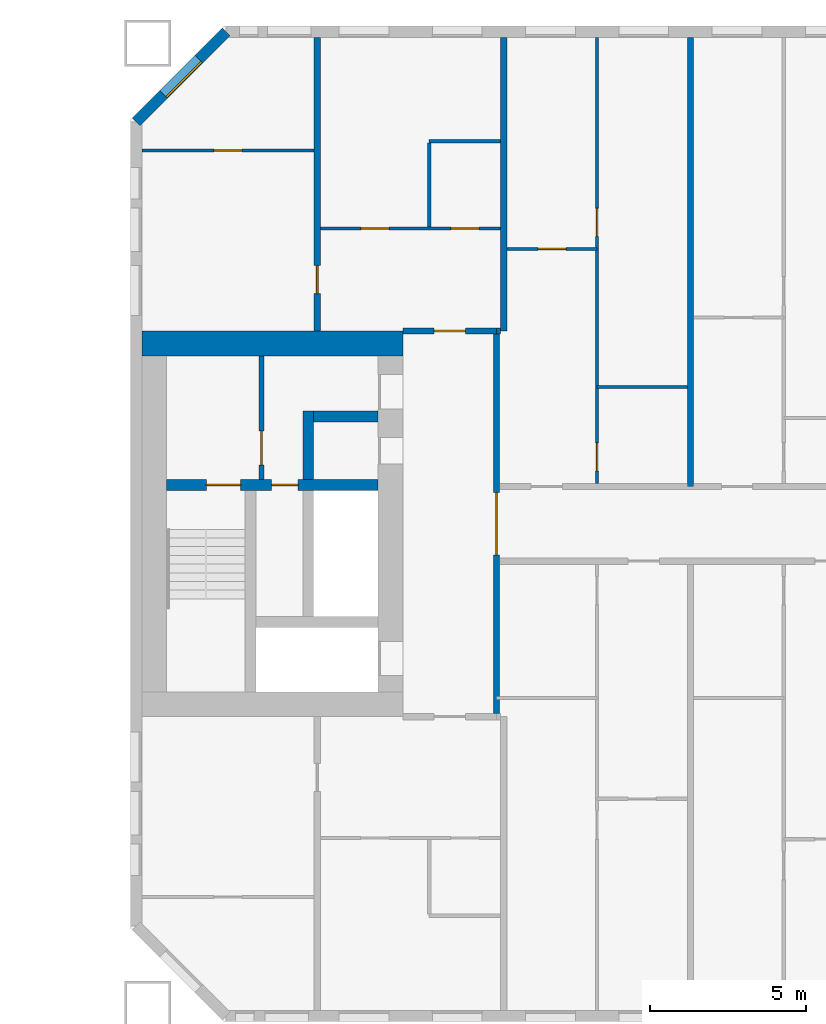
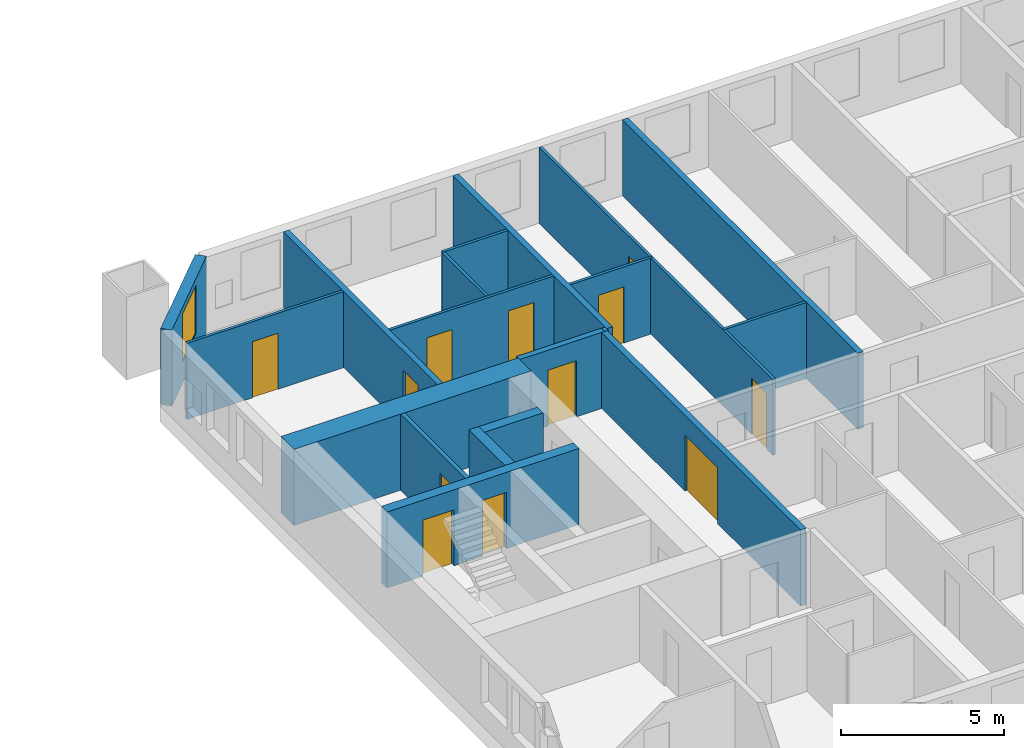
# One storey, part 10 of 17: 19 walls, 12 doors, 1 window, 13 openings.
"""IFC4 building model written with IfcOpenShell, lengths in metres."""

from ifc_helpers import new_model, si_unit, direction, frame, frame_2d, origin, place, context, subcontext, project, spatial, rectangle, extrude, material, layer, layer_set, type_object, element, fill, save


model = new_model("IFC4")

# Units and contexts
model_context = context("Model", 3, precision=1e-05, world=origin(), true_north=direction((0.0, 1.0)))
body_context = subcontext(model_context, "Body", "Model", "MODEL_VIEW")
ifc_project = project(units=[si_unit("LENGTHUNIT", "METRE"), si_unit("AREAUNIT", "SQUARE_METRE"), si_unit("VOLUMEUNIT", "CUBIC_METRE"), si_unit("PLANEANGLEUNIT", "RADIAN"), si_unit("MASSUNIT", "GRAM", prefix="KILO")], contexts=[model_context])

# Site, building, storey
site_placement = place(None, origin())
site = spatial("IfcSite", under=ifc_project, at=site_placement, CompositionType="ELEMENT")
building_placement = place(site_placement, origin())
building = spatial("IfcBuilding", under=site, at=building_placement, Name="Tuart Gate Housing", CompositionType="ELEMENT")
storey_placement = place(building_placement, frame((0.0, 0.0, 44.300048828125)))
storey = spatial("IfcBuildingStorey", under=building, at=storey_placement, Name="L11", CompositionType="ELEMENT", Elevation=44.300048828125)

# Wall, opening, window
ifc_material_1 = material(Name="Brick", Category="masonry")
ifc_layer_1 = layer(ifc_material_1, 0.360107421875)
ifc_layer_set_1 = layer_set([ifc_layer_1], Name="Brick pier and spandrel wall 360")
wall_type_1 = type_object("IfcWallType", Name="Brick pier and spandrel wall 360", PredefinedType="STANDARD", material=ifc_layer_set_1)
wall_1_placement = place(storey_placement, frame((134.07470703125, 85.820068359375, 0.0), z_axis=(0.0, 0.0, 1.0), x_axis=(-0.707106781187, -0.707106781187, 0.0)))
wall_1 = element("IfcWall", 1, at=wall_1_placement, inside=storey, type_object=wall_type_1, Name="External wall B-NW L11", PredefinedType="STANDARD", context=body_context, shape_type="SweptSolid", body=[
    extrude(rectangle(XDim=4.09375, YDim=0.360107421875, at=frame_2d((2.046875, 0.0))), origin(), (0.0, 0.0, 1.0), 2.849853515625),
])
opening_1_placement = place(wall_1_placement, frame((1.2470703125, 0.0, 0.800048828125)))
opening_1 = element("IfcOpeningElement", 2, at=opening_1_placement, cuts=wall_1, Name="Opening W1", PredefinedType="OPENING", context=body_context, shape_type="SweptSolid", body=[
    extrude(rectangle(XDim=1.60009765625, YDim=1.800048828125, at=frame_2d((0.800048828125, 0.89990234375))), frame((0.0, 0.18994140625, 0.0), z_axis=(0.0, -1.0, 0.0), x_axis=(1.0, 0.0, 0.0)), (0.0, 0.0, 1.0), 0.380126953125),
])
ifc_material_2 = material(Name="Aluminium frame with clear glass", Category="aluminium")
window_type = type_object("IfcWindowType", Name="Punched window 1600 x 1800", PartitioningType="SINGLE_PANEL", PredefinedType="WINDOW", material=ifc_material_2)
window_placement = place(opening_1_placement, origin())
window = element("IfcWindow", 3, at=window_placement, inside=storey, type_object=window_type, Name="Window W1", OverallHeight=1.800048828125, OverallWidth=1.60009765625, PartitioningType="SINGLE_PANEL", PredefinedType="WINDOW", context=body_context, shape_type="SweptSolid", body=[
    extrude(rectangle(XDim=1.60009765625, YDim=1.800048828125, at=frame_2d((0.800048828125, 0.89990234375))), frame((0.0, 0.150146484375, 0.0), z_axis=(0.0, -1.0, 0.0), x_axis=(1.0, 0.0, 0.0)), (0.0, 0.0, 1.0), 0.06005859375),
])
fill(opening_1, window)

# Wall, opening, door
ifc_material_3 = material(Name="Plasterboard partition")
ifc_layer_2 = layer(ifc_material_3, 0.14990234375)
ifc_layer_set_2 = layer_set([ifc_layer_2], Name="Core partition 150")
wall_type_2 = type_object("IfcWallType", Name="Core partition 150", PredefinedType="PARTITIONING", material=ifc_layer_set_2)
wall_2_placement = place(storey_placement, frame((135.2099609375, 71.425048828125, 0.0), z_axis=(0.0, 0.0, 1.0), x_axis=(0.0, 1.0, 0.0)))
wall_2 = element("IfcWall", 4, at=wall_2_placement, inside=storey, type_object=wall_type_2, Name="Core partition BG.6", PredefinedType="PARTITIONING", context=body_context, shape_type="SweptSolid", body=[
    extrude(rectangle(XDim=3.974853515625, YDim=0.14990234375, at=frame_2d((1.9873046875, 0.0))), origin(), (0.0, 0.0, 1.0), 2.849853515625),
])
opening_2_placement = place(wall_2_placement, frame((0.46240234375, 0.0, 0.0)))
opening_2 = element("IfcOpeningElement", 5, at=opening_2_placement, cuts=wall_2, Name="Opening D676", PredefinedType="OPENING", context=body_context, shape_type="SweptSolid", body=[
    extrude(rectangle(XDim=1.10009765625, YDim=2.10009765625, at=frame_2d((0.550048828125, 1.050048828125))), frame((0.0, 0.0849609375, 0.0), z_axis=(0.0, -1.0, 0.0), x_axis=(1.0, 0.0, 0.0)), (0.0, 0.0, 1.0), 0.169921875),
])
ifc_material_4 = material(Name="Steel fire door", Category="steel")
door_type_1 = type_object("IfcDoorType", Name="Lobby door 1100 x 2100", OperationType="SINGLE_SWING_LEFT", PredefinedType="DOOR", material=ifc_material_4)
door_1_placement = place(opening_2_placement, origin())
door_1 = element("IfcDoor", 6, at=door_1_placement, inside=storey, type_object=door_type_1, Name="Smoke lobby door BG.KD", OperationType="SINGLE_SWING_LEFT", OverallHeight=2.10009765625, OverallWidth=1.10009765625, PredefinedType="DOOR", context=body_context, shape_type="SweptSolid", body=[
    extrude(rectangle(XDim=1.10009765625, YDim=2.10009765625, at=frame_2d((0.550048828125, 1.050048828125))), frame((0.0, 0.02490234375, 0.0), z_axis=(0.0, -1.0, 0.0), x_axis=(1.0, 0.0, 0.0)), (0.0, 0.0, 1.0), 0.050048828125),
])
fill(opening_2, door_1)

# Wall, openings, doors
ifc_material_5 = material(Name="Concrete C60", Category="concrete")
ifc_layer_3 = layer(ifc_material_5, 0.35009765625)
ifc_layer_set_3 = layer_set([ifc_layer_3], Name="Core wall 350 C60")
wall_type_3 = type_object("IfcWallType", Name="Core wall 350 C60", PredefinedType="SHEAR", material=ifc_layer_set_3)
wall_3_placement = place(storey_placement, frame((138.9599609375, 71.25, 0.0), z_axis=(0.0, 0.0, 1.0), x_axis=(-1.0, 0.0, 0.0)))
wall_3 = element("IfcWall", 7, at=wall_3_placement, inside=storey, type_object=wall_type_3, Name="Core wall BG.2", PredefinedType="SHEAR", context=body_context, shape_type="SweptSolid", body=[
    extrude(rectangle(XDim=6.800048828125, YDim=0.35009765625, at=frame_2d((3.39990234375, 0.0))), origin(), (0.0, 0.0, 1.0), 2.849853515625),
])
opening_3_placement = place(wall_3_placement, frame((4.425048828125, 0.0, 0.0)))
opening_3 = element("IfcOpeningElement", 8, at=opening_3_placement, cuts=wall_3, Name="Opening D678", PredefinedType="OPENING", context=body_context, shape_type="SweptSolid", body=[
    extrude(rectangle(XDim=1.10009765625, YDim=2.10009765625, at=frame_2d((0.550048828125, 1.050048828125))), frame((0.0, 0.18505859375, 0.0), z_axis=(0.0, -1.0, 0.0), x_axis=(1.0, 0.0, 0.0)), (0.0, 0.0, 1.0), 0.3701171875),
])
opening_4_placement = place(wall_3_placement, frame((2.574951171875, 0.0, 0.0)))
opening_4 = element("IfcOpeningElement", 9, at=opening_4_placement, cuts=wall_3, Name="Opening D677", PredefinedType="OPENING", context=body_context, shape_type="SweptSolid", body=[
    extrude(rectangle(XDim=0.85009765625, YDim=2.10009765625, at=frame_2d((0.425048828125, 1.050048828125))), frame((0.0, 0.18505859375, 0.0), z_axis=(0.0, -1.0, 0.0), x_axis=(1.0, 0.0, 0.0)), (0.0, 0.0, 1.0), 0.3701171875),
])
ifc_material_6 = material(Name="Steel fire door", Category="steel")
door_type_2 = type_object("IfcDoorType", Name="Riser door 850 x 2100", OperationType="SINGLE_SWING_LEFT", PredefinedType="DOOR", material=ifc_material_6)
door_2_placement = place(opening_4_placement, origin())
door_2 = element("IfcDoor", 10, at=door_2_placement, inside=storey, type_object=door_type_2, Name="Service room door BG.W1", OperationType="SINGLE_SWING_LEFT", OverallHeight=2.10009765625, OverallWidth=0.85009765625, PredefinedType="DOOR", context=body_context, shape_type="SweptSolid", body=[
    extrude(rectangle(XDim=0.85009765625, YDim=2.10009765625, at=frame_2d((0.425048828125, 1.050048828125))), frame((0.0, 0.02490234375, 0.0), z_axis=(0.0, -1.0, 0.0), x_axis=(1.0, 0.0, 0.0)), (0.0, 0.0, 1.0), 0.050048828125),
])
fill(opening_4, door_2)
ifc_material_7 = material(Name="Steel fire door", Category="steel")
door_type_3 = type_object("IfcDoorType", Name="Stair door 1100 x 2100", OperationType="SINGLE_SWING_LEFT", PredefinedType="DOOR", material=ifc_material_7)
door_3_placement = place(opening_3_placement, origin())
door_3 = element("IfcDoor", 11, at=door_3_placement, inside=storey, type_object=door_type_3, Name="Stair door BG.SD", OperationType="SINGLE_SWING_LEFT", OverallHeight=2.10009765625, OverallWidth=1.10009765625, PredefinedType="DOOR", context=body_context, shape_type="SweptSolid", body=[
    extrude(rectangle(XDim=1.10009765625, YDim=2.10009765625, at=frame_2d((0.550048828125, 1.050048828125))), frame((0.0, 0.02490234375, 0.0), z_axis=(0.0, -1.0, 0.0), x_axis=(1.0, 0.0, 0.0)), (0.0, 0.0, 1.0), 0.050048828125),
])
fill(opening_3, door_3)

# Walls
wall_4_placement = place(storey_placement, frame((138.9599609375, 73.449951171875, 0.0), z_axis=(0.0, 0.0, 1.0), x_axis=(-1.0, 0.0, 0.0)))
element("IfcWall", 12, at=wall_4_placement, inside=storey, type_object=wall_type_3, Name="Core wall BG.3", PredefinedType="SHEAR", context=body_context, shape_type="SweptSolid", body=[
    extrude(rectangle(XDim=2.074951171875, YDim=0.35009765625, at=frame_2d((1.03759765625, 0.0))), origin(), (0.0, 0.0, 1.0), 2.849853515625),
])
wall_5_placement = place(storey_placement, frame((136.7099609375, 71.425048828125, 0.0), z_axis=(0.0, 0.0, 1.0), x_axis=(0.0, 1.0, 0.0)))
element("IfcWall", 13, at=wall_5_placement, inside=storey, type_object=wall_type_3, Name="Core wall BG.5", PredefinedType="SHEAR", context=body_context, shape_type="SweptSolid", body=[
    extrude(rectangle(XDim=2.199951171875, YDim=0.35009765625, at=frame_2d((1.10009765625, 0.0))), origin(), (0.0, 0.0, 1.0), 2.849853515625),
])
ifc_material_8 = material(Name="Concrete C60", Category="concrete")
ifc_layer_4 = layer(ifc_material_8, 0.800048828125)
ifc_layer_set_4 = layer_set([ifc_layer_4], Name="Core wall 800 C60")
wall_type_4 = type_object("IfcWallType", Name="Core wall 800 C60", PredefinedType="SHEAR", material=ifc_layer_set_4)
wall_6_placement = place(storey_placement, frame((139.760009765625, 75.800048828125, 0.0), z_axis=(0.0, 0.0, 1.0), x_axis=(-1.0, 0.0, 0.0)))
element("IfcWall", 14, at=wall_6_placement, inside=storey, type_object=wall_type_4, Name="Core wall BG north", PredefinedType="SHEAR", context=body_context, shape_type="SweptSolid", body=[
    extrude(rectangle(XDim=8.39990234375, YDim=0.800048828125, at=frame_2d((4.199951171875, 0.0))), origin(), (0.0, 0.0, 1.0), 2.849853515625),
])

# Wall, opening, door
ifc_material_9 = material(Name="Concrete masonry 15 MPa", Category="masonry")
ifc_layer_5 = layer(ifc_material_9, 0.199951171875)
ifc_layer_set_5 = layer_set([ifc_layer_5], Name="Enclosure wall masonry 200")
wall_type_5 = type_object("IfcWallType", Name="Enclosure wall masonry 200", PredefinedType="PARTITIONING", material=ifc_layer_set_5)
wall_7_placement = place(storey_placement, frame((139.760009765625, 76.199951171875, 0.0), z_axis=(0.0, 0.0, 1.0), x_axis=(1.0, 0.0, 0.0)))
wall_7 = element("IfcWall", 15, at=wall_7_placement, inside=storey, type_object=wall_type_5, Name="Enclosure wall masonry 200", PredefinedType="PARTITIONING", context=body_context, shape_type="SweptSolid", body=[
    extrude(rectangle(XDim=3.0, YDim=0.199951171875, at=frame_2d((1.5, 0.0))), origin(), (0.0, 0.0, 1.0), 2.849853515625),
])
opening_5_placement = place(wall_7_placement, frame((1.0, 0.0, 0.0)))
opening_5 = element("IfcOpeningElement", 16, at=opening_5_placement, cuts=wall_7, Name="Opening D674", PredefinedType="OPENING", context=body_context, shape_type="SweptSolid", body=[
    extrude(rectangle(XDim=1.0, YDim=2.10009765625, at=frame_2d((0.5, 1.050048828125))), frame((0.0, 0.10986328125, 0.0), z_axis=(0.0, -1.0, 0.0), x_axis=(1.0, 0.0, 0.0)), (0.0, 0.0, 1.0), 0.219970703125),
])
ifc_material_10 = material(Name="Timber door leaf in steel frame", Category="steel")
door_type_4 = type_object("IfcDoorType", Name="Flat entrance door 1000 RH", OperationType="SINGLE_SWING_RIGHT", PredefinedType="DOOR", material=ifc_material_10)
door_4_placement = place(opening_5_placement, origin())
door_4 = element("IfcDoor", 17, at=door_4_placement, inside=storey, type_object=door_type_4, Name="Flat entrance door", OperationType="SINGLE_SWING_RIGHT", OverallHeight=2.10009765625, OverallWidth=1.0, PredefinedType="DOOR", context=body_context, shape_type="SweptSolid", body=[
    extrude(rectangle(XDim=1.0, YDim=2.10009765625, at=frame_2d((0.5, 1.050048828125))), frame((0.0, 0.02490234375, 0.0), z_axis=(0.0, -1.0, 0.0), x_axis=(1.0, 0.0, 0.0)), (0.0, 0.0, 1.0), 0.050048828125),
])
fill(opening_5, door_4)

ifc_material_11 = material(Name="Plasterboard partition")
ifc_layer_6 = layer(ifc_material_11, 0.199951171875)
ifc_layer_set_6 = layer_set([ifc_layer_6], Name="Lobby wall 200")
wall_type_6 = type_object("IfcWallType", Name="Lobby wall 200", PredefinedType="PARTITIONING", material=ifc_layer_set_6)
wall_8_placement = place(storey_placement, frame((142.760009765625, 63.89990234375, 0.0), z_axis=(0.0, 0.0, 1.0), x_axis=(0.0, 1.0, 0.0)))
wall_8 = element("IfcWall", 18, at=wall_8_placement, inside=storey, type_object=wall_type_6, Name="Lift lobby wall BG", PredefinedType="PARTITIONING", context=body_context, shape_type="SweptSolid", body=[
    extrude(rectangle(XDim=12.2001953125, YDim=0.199951171875, at=frame_2d((6.10009765625, 0.0))), origin(), (0.0, 0.0, 1.0), 2.849853515625),
])
opening_6_placement = place(wall_8_placement, frame((5.10009765625, 0.0, 0.0)))
opening_6 = element("IfcOpeningElement", 19, at=opening_6_placement, cuts=wall_8, Name="Opening D684", PredefinedType="OPENING", context=body_context, shape_type="SweptSolid", body=[
    extrude(rectangle(XDim=2.0, YDim=2.10009765625, at=frame_2d((1.0, 1.050048828125))), frame((0.0, 0.10986328125, 0.0), z_axis=(0.0, -1.0, 0.0), x_axis=(1.0, 0.0, 0.0)), (0.0, 0.0, 1.0), 0.219970703125),
])
ifc_material_12 = material(Name="Steel fire door", Category="steel")
door_type_5 = type_object("IfcDoorType", Name="Smoke door 2000 x 2100", OperationType="DOUBLE_DOOR_SINGLE_SWING", PredefinedType="DOOR", material=ifc_material_12)
door_5_placement = place(opening_6_placement, origin())
door_5 = element("IfcDoor", 20, at=door_5_placement, inside=storey, type_object=door_type_5, Name="Lift lobby smoke door BG", OperationType="DOUBLE_DOOR_SINGLE_SWING", OverallHeight=2.10009765625, OverallWidth=2.0, PredefinedType="DOOR", context=body_context, shape_type="SweptSolid", body=[
    extrude(rectangle(XDim=2.0, YDim=2.10009765625, at=frame_2d((1.0, 1.050048828125))), frame((0.0, 0.02490234375, 0.0), z_axis=(0.0, -1.0, 0.0), x_axis=(1.0, 0.0, 0.0)), (0.0, 0.0, 1.0), 0.050048828125),
])
fill(opening_6, door_5)

# Wall
ifc_material_13 = material(Name="Gypsum board on steel studs", Category="steel")
ifc_layer_7 = layer(ifc_material_13, 0.10009765625)
ifc_layer_set_7 = layer_set([ifc_layer_7], Name="Partition 100")
wall_type_7 = type_object("IfcWallType", Name="Partition 100", PredefinedType="PARTITIONING", material=ifc_layer_set_7)
wall_9_placement = place(storey_placement, frame((146.0, 74.39990234375, 0.0), z_axis=(0.0, 0.0, 1.0), x_axis=(1.0, 0.0, 0.0)))
element("IfcWall", 21, at=wall_9_placement, inside=storey, type_object=wall_type_7, Name="Partition 100", PredefinedType="PARTITIONING", context=body_context, shape_type="SweptSolid", body=[
    extrude(rectangle(XDim=2.89990234375, YDim=0.10009765625, at=frame_2d((1.449951171875, 0.0))), origin(), (0.0, 0.0, 1.0), 2.849853515625),
])

# Wall, opening, door
wall_10_placement = place(storey_placement, frame((143.10009765625, 78.840087890625, 0.0), z_axis=(0.0, 0.0, 1.0), x_axis=(1.0, 0.0, 0.0)))
wall_10 = element("IfcWall", 22, at=wall_10_placement, inside=storey, type_object=wall_type_7, Name="Partition 100", PredefinedType="PARTITIONING", context=body_context, shape_type="SweptSolid", body=[
    extrude(rectangle(XDim=2.89990234375, YDim=0.10009765625, at=frame_2d((1.449951171875, 0.0))), origin(), (0.0, 0.0, 1.0), 2.849853515625),
])
opening_7_placement = place(wall_10_placement, frame((1.0, 0.0, 0.0)))
opening_7 = element("IfcOpeningElement", 23, at=opening_7_placement, cuts=wall_10, Name="Opening D666", PredefinedType="OPENING", context=body_context, shape_type="SweptSolid", body=[
    extrude(rectangle(XDim=0.89990234375, YDim=2.10009765625, at=frame_2d((0.449951171875, 1.050048828125))), frame((0.0, 0.06005859375, 0.0), z_axis=(0.0, -1.0, 0.0), x_axis=(1.0, 0.0, 0.0)), (0.0, 0.0, 1.0), 0.1201171875),
])
ifc_material_14 = material(Name="Timber door leaf in steel frame", Category="steel")
door_type_6 = type_object("IfcDoorType", Name="Internal door 900", OperationType="SINGLE_SWING_LEFT", PredefinedType="DOOR", material=ifc_material_14)
door_6_placement = place(opening_7_placement, frame((0.89990234375, 0.0, 0.0), z_axis=(0.0, 0.0, 1.0), x_axis=(-1.0, 0.0, 0.0)))
door_6 = element("IfcDoor", 24, at=door_6_placement, inside=storey, type_object=door_type_6, Name="Internal door", OperationType="SINGLE_SWING_LEFT", OverallHeight=2.10009765625, OverallWidth=0.89990234375, PredefinedType="DOOR", context=body_context, shape_type="SweptSolid", body=[
    extrude(rectangle(XDim=0.89990234375, YDim=2.10009765625, at=frame_2d((0.449951171875, 1.050048828125))), frame((0.0, 0.025146484375, 0.0), z_axis=(0.0, -1.0, 0.0), x_axis=(1.0, 0.0, 0.0)), (0.0, 0.0, 1.0), 0.050048828125),
])
fill(opening_7, door_6)

# Wall, openings, doors
wall_11_placement = place(storey_placement, frame((137.10009765625, 79.5, 0.0), z_axis=(0.0, 0.0, 1.0), x_axis=(1.0, 0.0, 0.0)))
wall_11 = element("IfcWall", 25, at=wall_11_placement, inside=storey, type_object=wall_type_7, Name="Partition 100", PredefinedType="PARTITIONING", context=body_context, shape_type="SweptSolid", body=[
    extrude(rectangle(XDim=5.7998046875, YDim=0.10009765625, at=frame_2d((2.89990234375, 0.0))), origin(), (0.0, 0.0, 1.0), 2.849853515625),
])
opening_8_placement = place(wall_11_placement, frame((1.300048828125, 0.0, 0.0)))
opening_8 = element("IfcOpeningElement", 26, at=opening_8_placement, cuts=wall_11, Name="Opening D665", PredefinedType="OPENING", context=body_context, shape_type="SweptSolid", body=[
    extrude(rectangle(XDim=0.89990234375, YDim=2.10009765625, at=frame_2d((0.449951171875, 1.050048828125))), frame((0.0, 0.06005859375, 0.0), z_axis=(0.0, -1.0, 0.0), x_axis=(1.0, 0.0, 0.0)), (0.0, 0.0, 1.0), 0.1201171875),
])
opening_9_placement = place(wall_11_placement, frame((4.199951171875, 0.0, 0.0)))
opening_9 = element("IfcOpeningElement", 27, at=opening_9_placement, cuts=wall_11, Name="Opening D664", PredefinedType="OPENING", context=body_context, shape_type="SweptSolid", body=[
    extrude(rectangle(XDim=0.89990234375, YDim=2.10009765625, at=frame_2d((0.449951171875, 1.050048828125))), frame((0.0, 0.06005859375, 0.0), z_axis=(0.0, -1.0, 0.0), x_axis=(1.0, 0.0, 0.0)), (0.0, 0.0, 1.0), 0.1201171875),
])
ifc_material_15 = material(Name="Timber door leaf in steel frame", Category="steel")
door_type_7 = type_object("IfcDoorType", Name="Bathroom door 900", OperationType="SINGLE_SWING_LEFT", PredefinedType="DOOR", material=ifc_material_15)
door_7_placement = place(opening_9_placement, origin())
door_7 = element("IfcDoor", 28, at=door_7_placement, inside=storey, type_object=door_type_7, Name="Bathroom door", OperationType="SINGLE_SWING_LEFT", OverallHeight=2.10009765625, OverallWidth=0.89990234375, PredefinedType="DOOR", context=body_context, shape_type="SweptSolid", body=[
    extrude(rectangle(XDim=0.89990234375, YDim=2.10009765625, at=frame_2d((0.449951171875, 1.050048828125))), frame((0.0, 0.02490234375, 0.0), z_axis=(0.0, -1.0, 0.0), x_axis=(1.0, 0.0, 0.0)), (0.0, 0.0, 1.0), 0.050048828125),
])
fill(opening_9, door_7)
ifc_material_16 = material(Name="Timber door leaf in steel frame", Category="steel")
door_type_8 = type_object("IfcDoorType", Name="Internal door 900 RH", OperationType="SINGLE_SWING_RIGHT", PredefinedType="DOOR", material=ifc_material_16)
door_8_placement = place(opening_8_placement, origin())
door_8 = element("IfcDoor", 29, at=door_8_placement, inside=storey, type_object=door_type_8, Name="Internal door", OperationType="SINGLE_SWING_RIGHT", OverallHeight=2.10009765625, OverallWidth=0.89990234375, PredefinedType="DOOR", context=body_context, shape_type="SweptSolid", body=[
    extrude(rectangle(XDim=0.89990234375, YDim=2.10009765625, at=frame_2d((0.449951171875, 1.050048828125))), frame((0.0, 0.02490234375, 0.0), z_axis=(0.0, -1.0, 0.0), x_axis=(1.0, 0.0, 0.0)), (0.0, 0.0, 1.0), 0.050048828125),
])
fill(opening_8, door_8)

# Wall, opening, door
wall_12_placement = place(storey_placement, frame((131.360107421875, 82.0, 0.0), z_axis=(0.0, 0.0, 1.0), x_axis=(1.0, 0.0, 0.0)))
wall_12 = element("IfcWall", 30, at=wall_12_placement, inside=storey, type_object=wall_type_7, Name="Partition 100", PredefinedType="PARTITIONING", context=body_context, shape_type="SweptSolid", body=[
    extrude(rectangle(XDim=5.539794921875, YDim=0.10009765625, at=frame_2d((2.77001953125, 0.0))), origin(), (0.0, 0.0, 1.0), 2.849853515625),
])
opening_10_placement = place(wall_12_placement, frame((2.320068359375, 0.0, 0.0)))
opening_10 = element("IfcOpeningElement", 31, at=opening_10_placement, cuts=wall_12, Name="Opening D662", PredefinedType="OPENING", context=body_context, shape_type="SweptSolid", body=[
    extrude(rectangle(XDim=0.89990234375, YDim=2.10009765625, at=frame_2d((0.449951171875, 1.050048828125))), frame((0.0, 0.06005859375, 0.0), z_axis=(0.0, -1.0, 0.0), x_axis=(1.0, 0.0, 0.0)), (0.0, 0.0, 1.0), 0.1201171875),
])
door_9_placement = place(opening_10_placement, origin())
door_9 = element("IfcDoor", 32, at=door_9_placement, inside=storey, type_object=door_type_6, Name="Internal door", OperationType="SINGLE_SWING_LEFT", OverallHeight=2.10009765625, OverallWidth=0.89990234375, PredefinedType="DOOR", context=body_context, shape_type="SweptSolid", body=[
    extrude(rectangle(XDim=0.89990234375, YDim=2.10009765625, at=frame_2d((0.449951171875, 1.050048828125))), frame((0.0, 0.02490234375, 0.0), z_axis=(0.0, -1.0, 0.0), x_axis=(1.0, 0.0, 0.0)), (0.0, 0.0, 1.0), 0.050048828125),
])
fill(opening_10, door_9)

# Walls
wall_13_placement = place(storey_placement, frame((140.60009765625, 82.300048828125, 0.0), z_axis=(0.0, 0.0, 1.0), x_axis=(1.0, 0.0, 0.0)))
element("IfcWall", 33, at=wall_13_placement, inside=storey, type_object=wall_type_7, Name="Partition 100", PredefinedType="PARTITIONING", context=body_context, shape_type="SweptSolid", body=[
    extrude(rectangle(XDim=2.2998046875, YDim=0.10009765625, at=frame_2d((1.14990234375, 0.0))), origin(), (0.0, 0.0, 1.0), 2.849853515625),
])
wall_14_placement = place(storey_placement, frame((140.60009765625, 79.550048828125, 0.0), z_axis=(0.0, 0.0, 1.0), x_axis=(0.0, 1.0, 0.0)))
element("IfcWall", 34, at=wall_14_placement, inside=storey, type_object=wall_type_7, Name="Partition 100", PredefinedType="PARTITIONING", context=body_context, shape_type="SweptSolid", body=[
    extrude(rectangle(XDim=2.699951171875, YDim=0.10009765625, at=frame_2d((1.35009765625, 0.0))), origin(), (0.0, 0.0, 1.0), 2.849853515625),
])

# Wall, openings, doors
wall_15_placement = place(storey_placement, frame((146.0, 71.300048828125, 0.0), z_axis=(0.0, 0.0, 1.0), x_axis=(0.0, 1.0, 0.0)))
wall_15 = element("IfcWall", 35, at=wall_15_placement, inside=storey, type_object=wall_type_7, Name="Partition 100", PredefinedType="PARTITIONING", context=body_context, shape_type="SweptSolid", body=[
    extrude(rectangle(XDim=14.33984375, YDim=0.10009765625, at=frame_2d((7.169921875, 0.0))), origin(), (0.0, 0.0, 1.0), 2.849853515625),
])
opening_11_placement = place(wall_15_placement, frame((7.93994140625, 0.0, 0.0)))
opening_11 = element("IfcOpeningElement", 36, at=opening_11_placement, cuts=wall_15, Name="Opening D670", PredefinedType="OPENING", context=body_context, shape_type="SweptSolid", body=[
    extrude(rectangle(XDim=0.89990234375, YDim=2.10009765625, at=frame_2d((0.449951171875, 1.050048828125))), frame((0.0, 0.06005859375, 0.0), z_axis=(0.0, -1.0, 0.0), x_axis=(1.0, 0.0, 0.0)), (0.0, 0.0, 1.0), 0.1201171875),
])
opening_12_placement = place(wall_15_placement, frame((0.39990234375, 0.0, 0.0)))
opening_12 = element("IfcOpeningElement", 37, at=opening_12_placement, cuts=wall_15, Name="Opening D669", PredefinedType="OPENING", context=body_context, shape_type="SweptSolid", body=[
    extrude(rectangle(XDim=0.89990234375, YDim=2.10009765625, at=frame_2d((0.449951171875, 1.050048828125))), frame((0.0, 0.06005859375, 0.0), z_axis=(0.0, -1.0, 0.0), x_axis=(1.0, 0.0, 0.0)), (0.0, 0.0, 1.0), 0.1201171875),
])
ifc_material_17 = material(Name="Timber door leaf in steel frame", Category="steel")
door_type_9 = type_object("IfcDoorType", Name="Bathroom door 900 RH", OperationType="SINGLE_SWING_RIGHT", PredefinedType="DOOR", material=ifc_material_17)
door_10_placement = place(opening_12_placement, frame((0.89990234375, 0.0, 0.0), z_axis=(0.0, 0.0, 1.0), x_axis=(-1.0, 0.0, 0.0)))
door_10 = element("IfcDoor", 38, at=door_10_placement, inside=storey, type_object=door_type_9, Name="Bathroom door", OperationType="SINGLE_SWING_RIGHT", OverallHeight=2.10009765625, OverallWidth=0.89990234375, PredefinedType="DOOR", context=body_context, shape_type="SweptSolid", body=[
    extrude(rectangle(XDim=0.89990234375, YDim=2.10009765625, at=frame_2d((0.449951171875, 1.050048828125))), frame((0.0, 0.025146484375, 0.0), z_axis=(0.0, -1.0, 0.0), x_axis=(1.0, 0.0, 0.0)), (0.0, 0.0, 1.0), 0.050048828125),
])
fill(opening_12, door_10)
door_11_placement = place(opening_11_placement, frame((0.89990234375, 0.0, 0.0), z_axis=(0.0, 0.0, 1.0), x_axis=(-1.0, 0.0, 0.0)))
door_11 = element("IfcDoor", 39, at=door_11_placement, inside=storey, type_object=door_type_8, Name="Internal door", OperationType="SINGLE_SWING_RIGHT", OverallHeight=2.10009765625, OverallWidth=0.89990234375, PredefinedType="DOOR", context=body_context, shape_type="SweptSolid", body=[
    extrude(rectangle(XDim=0.89990234375, YDim=2.10009765625, at=frame_2d((0.449951171875, 1.050048828125))), frame((0.0, 0.025146484375, 0.0), z_axis=(0.0, -1.0, 0.0), x_axis=(1.0, 0.0, 0.0)), (0.0, 0.0, 1.0), 0.050048828125),
])
fill(opening_11, door_11)

# Wall, opening, door
ifc_material_18 = material(Name="Concrete C40", Category="concrete")
ifc_layer_8 = layer(ifc_material_18, 0.199951171875)
ifc_layer_set_8 = layer_set([ifc_layer_8], Name="Party wall concrete C40 200")
wall_type_8 = type_object("IfcWallType", Name="Party wall concrete C40 200", PredefinedType="SOLIDWALL", material=ifc_layer_set_8)
wall_16_placement = place(storey_placement, frame((137.0, 76.199951171875, 0.0), z_axis=(0.0, 0.0, 1.0), x_axis=(0.0, 1.0, 0.0)))
wall_16 = element("IfcWall", 40, at=wall_16_placement, inside=storey, type_object=wall_type_8, Name="Party wall concrete C40 200", PredefinedType="SOLIDWALL", context=body_context, shape_type="SweptSolid", body=[
    extrude(rectangle(XDim=9.43994140625, YDim=0.199951171875, at=frame_2d((4.719970703125, 0.0))), origin(), (0.0, 0.0, 1.0), 2.849853515625),
])
opening_13_placement = place(wall_16_placement, frame((1.199951171875, 0.0, 0.0)))
opening_13 = element("IfcOpeningElement", 41, at=opening_13_placement, cuts=wall_16, Name="Opening D663", PredefinedType="OPENING", context=body_context, shape_type="SweptSolid", body=[
    extrude(rectangle(XDim=0.89990234375, YDim=2.10009765625, at=frame_2d((0.449951171875, 1.050048828125))), frame((0.0, 0.10986328125, 0.0), z_axis=(0.0, -1.0, 0.0), x_axis=(1.0, 0.0, 0.0)), (0.0, 0.0, 1.0), 0.219970703125),
])
door_12_placement = place(opening_13_placement, frame((0.89990234375, 0.0, 0.0), z_axis=(0.0, 0.0, 1.0), x_axis=(-1.0, 0.0, 0.0)))
door_12 = element("IfcDoor", 42, at=door_12_placement, inside=storey, type_object=door_type_8, Name="Internal door", OperationType="SINGLE_SWING_RIGHT", OverallHeight=2.10009765625, OverallWidth=0.89990234375, PredefinedType="DOOR", context=body_context, shape_type="SweptSolid", body=[
    extrude(rectangle(XDim=0.89990234375, YDim=2.10009765625, at=frame_2d((0.449951171875, 1.050048828125))), frame((0.0, 0.025146484375, 0.0), z_axis=(0.0, -1.0, 0.0), x_axis=(1.0, 0.0, 0.0)), (0.0, 0.0, 1.0), 0.050048828125),
])
fill(opening_13, door_12)

# Walls
wall_17_placement = place(storey_placement, frame((143.0, 76.199951171875, 0.0), z_axis=(0.0, 0.0, 1.0), x_axis=(0.0, 1.0, 0.0)))
element("IfcWall", 43, at=wall_17_placement, inside=storey, type_object=wall_type_8, Name="Party wall concrete C40 200", PredefinedType="SOLIDWALL", context=body_context, shape_type="SweptSolid", body=[
    extrude(rectangle(XDim=9.43994140625, YDim=0.199951171875, at=frame_2d((4.719970703125, 0.0))), origin(), (0.0, 0.0, 1.0), 2.849853515625),
])
wall_18_placement = place(storey_placement, frame((149.0, 71.199951171875, 0.0), z_axis=(0.0, 0.0, 1.0), x_axis=(0.0, 1.0, 0.0)))
element("IfcWall", 44, at=wall_18_placement, inside=storey, type_object=wall_type_8, Name="Party wall concrete C40 200", PredefinedType="SOLIDWALL", context=body_context, shape_type="SweptSolid", body=[
    extrude(rectangle(XDim=14.43994140625, YDim=0.199951171875, at=frame_2d((7.219970703125, 0.0))), origin(), (0.0, 0.0, 1.0), 2.849853515625),
])
ifc_material_19 = material(Name="Concrete masonry 15 MPa", Category="masonry")
ifc_layer_9 = layer(ifc_material_19, 0.199951171875)
ifc_layer_set_9 = layer_set([ifc_layer_9], Name="Party wall masonry 200")
wall_type_9 = type_object("IfcWallType", Name="Party wall masonry 200", PredefinedType="PARTITIONING", material=ifc_layer_set_9)
wall_19_placement = place(storey_placement, frame((142.760009765625, 76.199951171875, 0.0), z_axis=(0.0, 0.0, 1.0), x_axis=(1.0, 0.0, 0.0)))
element("IfcWall", 45, at=wall_19_placement, inside=storey, type_object=wall_type_9, Name="Party wall masonry 200", PredefinedType="PARTITIONING", context=body_context, shape_type="SweptSolid", body=[
    extrude(rectangle(XDim=0.139892578125, YDim=0.199951171875, at=frame_2d((0.06982421875, 0.0))), origin(), (0.0, 0.0, 1.0), 2.849853515625),
])

save(model, "model.ifc")
